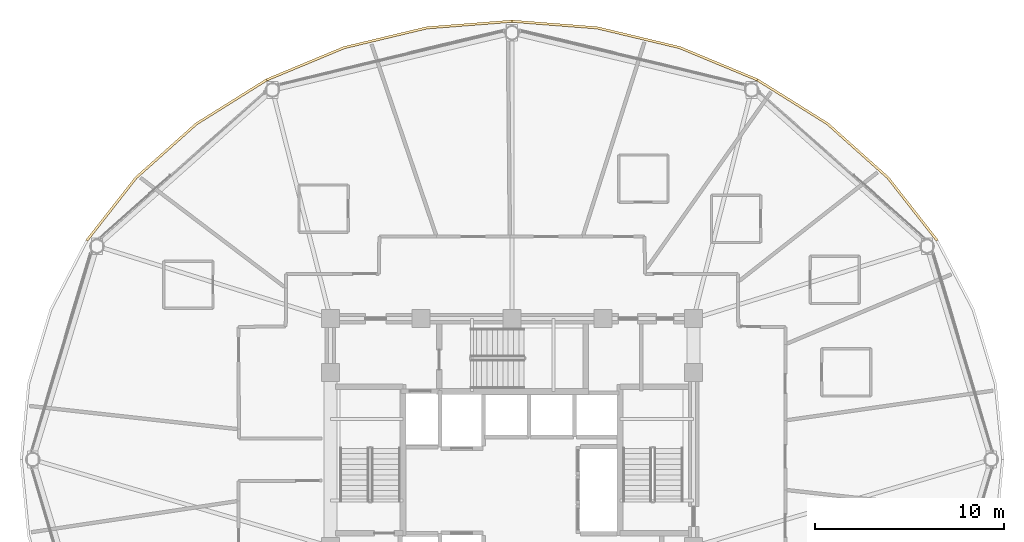
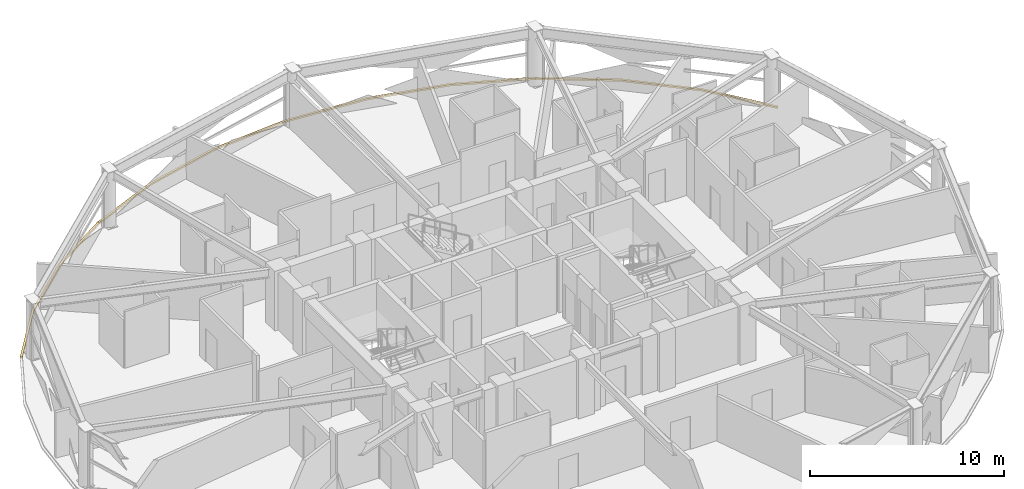
# One storey, part 31 of 31: 4 coverings.
"""IFC4 building model written with IfcOpenShell, lengths in metres."""

from ifc_helpers import new_model, si_unit, direction, frame, origin, place, context, subcontext, project, spatial, polyline, outline, extrude, material, layer, layer_set, type_object, element, save


model = new_model("IFC4")

# Units and contexts
model_context = context("Model", 3, precision=1e-05, world=origin(), true_north=direction((0.0, 1.0)))
body_context = subcontext(model_context, "Body", "Model", "MODEL_VIEW")
ifc_project = project(units=[si_unit("LENGTHUNIT", "METRE"), si_unit("AREAUNIT", "SQUARE_METRE"), si_unit("VOLUMEUNIT", "CUBIC_METRE"), si_unit("PLANEANGLEUNIT", "RADIAN"), si_unit("MASSUNIT", "GRAM", prefix="KILO")], contexts=[model_context])

# Site, building, storey
site_placement = place(None, origin())
site = spatial("IfcSite", under=ifc_project, at=site_placement, CompositionType="ELEMENT")
building_placement = place(site_placement, origin())
building = spatial("IfcBuilding", under=site, at=building_placement, Name="Vantalir Tower", CompositionType="ELEMENT")
storey_placement = place(building_placement, frame((0.0, 0.0, 123.449951171875)))
storey = spatial("IfcBuildingStorey", under=building, at=storey_placement, Name="L30", CompositionType="ELEMENT", Elevation=123.449951171875)

# Coverings
ifc_material = material(Name="Anodised champagne aluminium sill fascia", Category="aluminium")
ifc_layer = layer(ifc_material, 0.125)
ifc_layer_set = layer_set([ifc_layer], Name="Anodised champagne aluminium sill fascia")
covering_type = type_object("IfcCoveringType", Name="COV-SLAB-FASCIA-125", PredefinedType="CLADDING", material=ifc_layer_set)
covering_1_placement = place(storey_placement, frame((0.0, 0.0, -0.179931640625)))
element("IfcCovering", 1, at=covering_1_placement, inside=storey, type_object=covering_type, Name="L30 Perimeter Slab-Edge Sill Fascia 02", PredefinedType="CLADDING", context=body_context, shape_type="SweptSolid", body=[
    extrude(outline(polyline([(54.030029296875, 36.6201171875), (51.428955078125, 39.93896484375), (48.221923828125, 42.803955078125), (44.508056640625, 45.126953125), (44.445068359375, 45.01904296875), (48.14208984375, 42.7080078125), (51.3330078125, 39.85888671875), (53.9208984375, 36.55810546875), (54.030029296875, 36.6201171875)])), origin(), (0.0, 0.0, 1.0), 0.10498046875),
])
covering_2_placement = place(storey_placement, frame((0.0, 0.0, -0.179931640625)))
element("IfcCovering", 2, at=covering_2_placement, inside=storey, type_object=covering_type, Name="L30 Perimeter Slab-Edge Sill Fascia 03", PredefinedType="CLADDING", context=body_context, shape_type="SweptSolid", body=[
    extrude(outline(polyline([(44.508056640625, 45.126953125), (40.39794921875, 46.839111328125), (36.01708984375, 47.887939453125), (31.5, 48.240966796875), (31.5, 48.115966796875), (35.99609375, 47.764892578125), (40.35498046875, 46.721923828125), (44.445068359375, 45.01904296875), (44.508056640625, 45.126953125)])), origin(), (0.0, 0.0, 1.0), 0.10498046875),
])
covering_3_placement = place(storey_placement, frame((0.0, 0.0, -0.179931640625)))
element("IfcCovering", 3, at=covering_3_placement, inside=storey, type_object=covering_type, Name="L30 Perimeter Slab-Edge Sill Fascia 04", PredefinedType="CLADDING", context=body_context, shape_type="SweptSolid", body=[
    extrude(outline(polyline([(31.5, 48.240966796875), (26.98291015625, 47.887939453125), (22.60205078125, 46.839111328125), (18.492919921875, 45.126953125), (18.554931640625, 45.01904296875), (22.64501953125, 46.721923828125), (27.00390625, 47.764892578125), (31.5, 48.115966796875), (31.5, 48.240966796875)])), origin(), (0.0, 0.0, 1.0), 0.10498046875),
])
covering_4_placement = place(storey_placement, frame((0.0, 0.0, -0.179931640625)))
element("IfcCovering", 4, at=covering_4_placement, inside=storey, type_object=covering_type, Name="L30 Perimeter Slab-Edge Sill Fascia 05", PredefinedType="CLADDING", context=body_context, shape_type="SweptSolid", body=[
    extrude(outline(polyline([(18.492919921875, 45.126953125), (14.778076171875, 42.803955078125), (11.571044921875, 39.93896484375), (8.969970703125, 36.6201171875), (9.0791015625, 36.55810546875), (11.6669921875, 39.85888671875), (14.85791015625, 42.7080078125), (18.554931640625, 45.01904296875), (18.492919921875, 45.126953125)])), origin(), (0.0, 0.0, 1.0), 0.10498046875),
])

save(model, "model.ifc")
